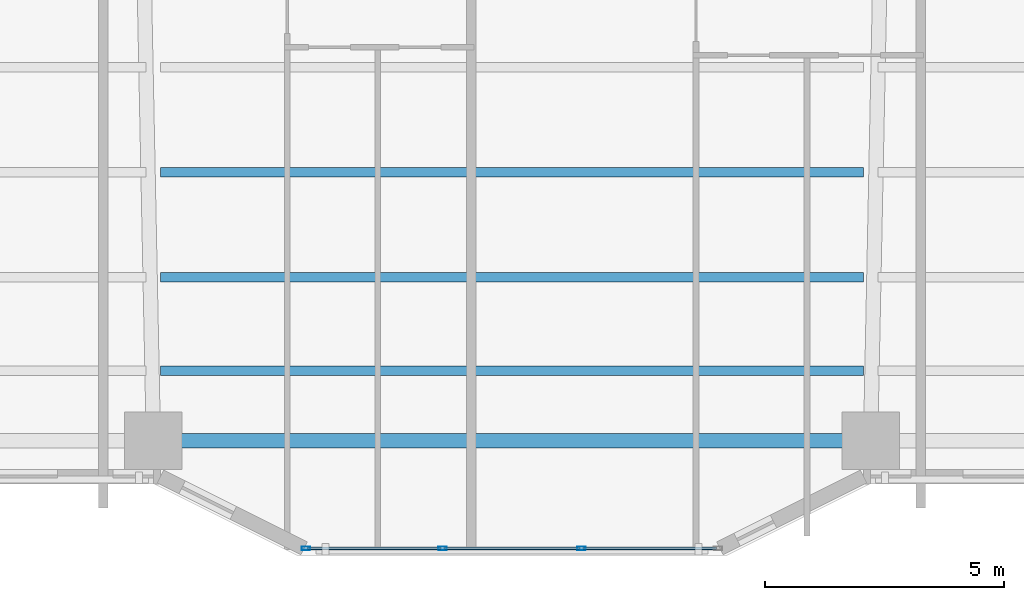
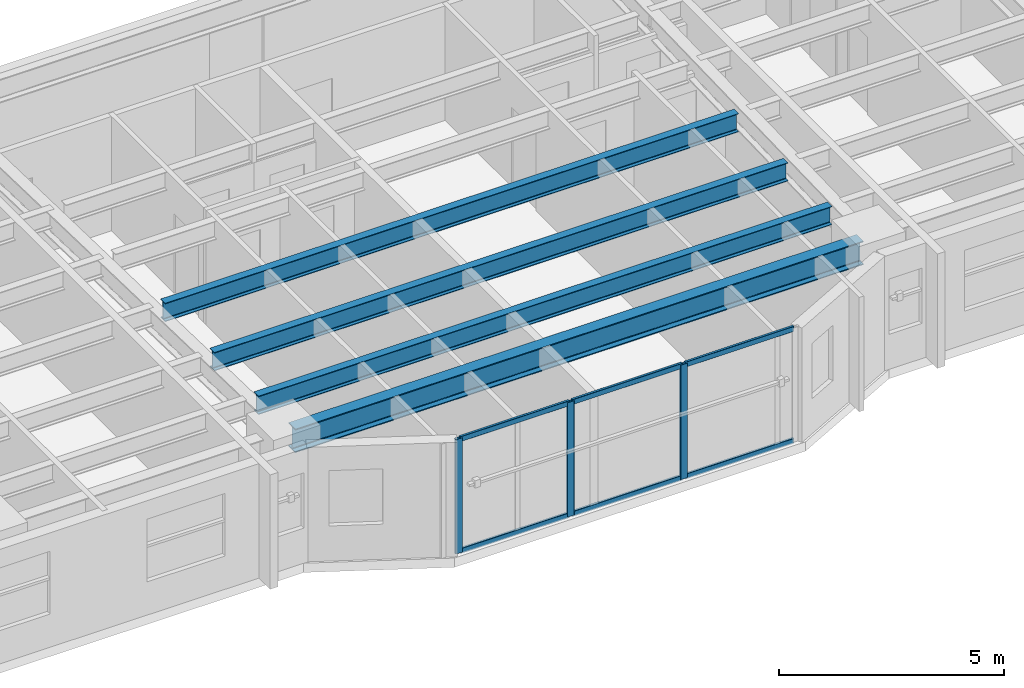
# One storey, part 2 of 21: 9 members, 4 beams, 1 element without a shape of its own.
"""IFC4 building model written with IfcOpenShell, lengths in metres."""

from ifc_helpers import new_model, si_unit, direction, frame, origin, origin_2d, place, context, subcontext, project, spatial, hollow_rectangle, i_section, extrude, material, layer, layer_set, material_profile, profile_set, type_object, element, aggregate, save


model = new_model("IFC4")

# Units and contexts
model_context = context("Model", 3, precision=1e-05, world=origin(), true_north=direction((0.0, 1.0)))
body_context = subcontext(model_context, "Body", "Model", "MODEL_VIEW")
ifc_project = project(units=[si_unit("LENGTHUNIT", "METRE"), si_unit("AREAUNIT", "SQUARE_METRE"), si_unit("VOLUMEUNIT", "CUBIC_METRE"), si_unit("PLANEANGLEUNIT", "RADIAN"), si_unit("MASSUNIT", "GRAM", prefix="KILO")], contexts=[model_context])

# Site, building, storey
site_placement = place(None, origin())
site = spatial("IfcSite", under=ifc_project, at=site_placement, CompositionType="ELEMENT")
building_placement = place(site_placement, origin())
building = spatial("IfcBuilding", under=site, at=building_placement, Name="Tarnavaz Court Tower", CompositionType="ELEMENT")
storey_placement = place(building_placement, frame((0.0, 0.0, 47.449951171875)))
storey = spatial("IfcBuildingStorey", under=building, at=storey_placement, Name="L12", CompositionType="ELEMENT", Elevation=47.449951171875)

# Beams
ifc_material_1 = material(Name="Steel S355", Category="steel")
ifc_material_profile_1 = material_profile(ifc_material_1, i_section(OverallWidth=0.199951171875, OverallDepth=0.5, WebThickness=0.01025390625, FlangeThickness=0.01611328125, FilletRadius=0.02099609375, at=origin_2d()), Name="IPE 500")
ifc_profile_set_1 = profile_set([ifc_material_profile_1], Name="Steel S355")
beam_type_1 = type_object("IfcBeamType", Name="BM-J-IPE500", PredefinedType="JOIST", material=ifc_profile_set_1)
for number, where, z_axis, x_axis, name in (
    (1, (-7.35009765625, -17.18798828125, 2.85009765625), (1.0, 0.0, 0.0), (0.0, 1.0, 0.0), "L12 Beam JS3-2"),
    (2, (-7.35009765625, -19.384033203125, 2.85009765625), (1.0, 0.0, 0.0), (0.0, 1.0, 0.0), "L12 Beam JS4-2"),
    (3, (-7.35009765625, -21.3359375, 2.85009765625), (1.0, 0.0, 0.0), (0.0, 1.0, 0.0), "L12 Beam JS5-2"),
):
    element("IfcBeam", number, at=place(storey_placement, frame(where, z_axis=z_axis, x_axis=x_axis)), inside=storey, type_object=beam_type_1, Name=name, PredefinedType="JOIST", context=body_context, shape_type="SweptSolid", body=[
        extrude(i_section(OverallWidth=0.199951171875, OverallDepth=0.5, WebThickness=0.01025390625, FlangeThickness=0.01611328125, FilletRadius=0.02099609375, at=origin_2d()), origin(), (0.0, 0.0, 1.0), 14.7001953125),
    ])
ifc_material_profile_2 = material_profile(ifc_material_1, i_section(OverallWidth=0.300048828125, OverallDepth=0.639892578125, WebThickness=0.013427734375, FlangeThickness=0.02587890625, FilletRadius=0.027099609375, at=origin_2d()), Name="HEA 650")
ifc_profile_set_2 = profile_set([ifc_material_profile_2], Name="Steel S355")
beam_type_2 = type_object("IfcBeamType", Name="BM-SP-HEA650", PredefinedType="SPANDREL", material=ifc_profile_set_2)
beam_placement = place(storey_placement, frame((-7.280029296875, -22.800048828125, 2.780029296875), z_axis=(1.0, 0.0, 0.0), x_axis=(0.0, 1.0, 0.0)))
element("IfcBeam", 4, at=beam_placement, inside=storey, type_object=beam_type_2, Name="L12 Beam PR-PS-2-PS-3", PredefinedType="SPANDREL", context=body_context, shape_type="SweptSolid", body=[
    extrude(i_section(OverallWidth=0.300048828125, OverallDepth=0.639892578125, WebThickness=0.013427734375, FlangeThickness=0.02587890625, FilletRadius=0.027099609375, at=origin_2d()), origin(), (0.0, 0.0, 1.0), 14.56005859375),
])

# Curtain wall, members
ifc_material_2 = material(Name="Anodised Aluminium 6063-T6 and Solar Low-E Glazing", Category="aluminium")
ifc_layer = layer(ifc_material_2, 0.179931640625)
ifc_layer_set = layer_set([ifc_layer], Name="Anodised Aluminium 6063-T6 and Solar Low-E Glazing")
curtain_wall_type = type_object("IfcCurtainWallType", Name="CW-SYS-02", PredefinedType="NOTDEFINED", material=ifc_layer_set)
curtain_wall_placement = place(storey_placement, origin())
curtain_wall = element("IfcCurtainWall", 5, at=curtain_wall_placement, inside=storey, type_object=curtain_wall_type, Name="L12 Iwan Prow Curtain Wall 17", PredefinedType="NOTDEFINED")
ifc_material_3 = material(Name="Anodised Aluminium 6063-T6", Category="aluminium")
ifc_material_profile_3 = material_profile(ifc_material_3, hollow_rectangle(XDim=0.074951171875, YDim=0.179931640625, WallThickness=0.0048828125, InnerFilletRadius=0.0048828125, OuterFilletRadius=0.010009765625, at=origin_2d()), Name="ALU RHS 180X75X5")
ifc_profile_set_3 = profile_set([ifc_material_profile_3], Name="Anodised Aluminium 6063-T6")
member_type_1 = type_object("IfcMemberType", Name="CW-MUL-180", PredefinedType="MULLION", material=ifc_profile_set_3)
member_1_placement = place(storey_placement, frame((1.449951171875, -25.050048828125, 0.0), z_axis=(0.0, 0.0, 1.0), x_axis=(0.0, -1.0, 0.0)))
member_1 = element("IfcMember", 6, at=member_1_placement, type_object=member_type_1, Name="CW mullion 2", PredefinedType="MULLION", context=body_context, shape_type="SweptSolid", body=[
    extrude(hollow_rectangle(XDim=0.074951171875, YDim=0.179931640625, WallThickness=0.0048828125, InnerFilletRadius=0.0048828125, OuterFilletRadius=0.010009765625, at=origin_2d()), origin(), (0.0, 0.0, 1.0), 3.10009765625),
])
member_2_placement = place(storey_placement, frame((-1.449951171875, -25.050048828125, 0.0), z_axis=(0.0, 0.0, 1.0), x_axis=(0.0, -1.0, 0.0)))
member_2 = element("IfcMember", 7, at=member_2_placement, type_object=member_type_1, Name="CW mullion 3", PredefinedType="MULLION", context=body_context, shape_type="SweptSolid", body=[
    extrude(hollow_rectangle(XDim=0.074951171875, YDim=0.179931640625, WallThickness=0.0048828125, InnerFilletRadius=0.0048828125, OuterFilletRadius=0.010009765625, at=origin_2d()), origin(), (0.0, 0.0, 1.0), 3.10009765625),
])
member_3_placement = place(storey_placement, frame((-4.3125, -25.050048828125, 0.0), z_axis=(0.0, 0.0, 1.0), x_axis=(0.0, -1.0, 0.0)))
member_3 = element("IfcMember", 8, at=member_3_placement, type_object=member_type_1, Name="CW mullion 4", PredefinedType="MULLION", context=body_context, shape_type="SweptSolid", body=[
    extrude(hollow_rectangle(XDim=0.074951171875, YDim=0.179931640625, WallThickness=0.0048828125, InnerFilletRadius=0.0048828125, OuterFilletRadius=0.010009765625, at=origin_2d()), origin(), (0.0, 0.0, 1.0), 3.10009765625),
])
ifc_material_profile_4 = material_profile(ifc_material_3, hollow_rectangle(XDim=0.06494140625, YDim=0.139892578125, WallThickness=0.00390625, InnerFilletRadius=0.00390625, OuterFilletRadius=0.008056640625, at=origin_2d()), Name="ALU RHS 140X65X4")
ifc_profile_set_4 = profile_set([ifc_material_profile_4], Name="Anodised Aluminium 6063-T6")
member_type_2 = type_object("IfcMemberType", Name="CW-TRN-140", PredefinedType="USERDEFINED", material=ifc_profile_set_4)
member_4_placement = place(storey_placement, frame((4.27490234375, -25.050048828125, 0.032470703125), z_axis=(-1.0, 0.0, 0.0), x_axis=(0.0, -1.0, 0.0)))
member_4 = element("IfcMember", 9, at=member_4_placement, type_object=member_type_2, Name="CW transom 1.1", ObjectType="TRANSOM", PredefinedType="USERDEFINED", context=body_context, shape_type="SweptSolid", body=[
    extrude(hollow_rectangle(XDim=0.06494140625, YDim=0.139892578125, WallThickness=0.00390625, InnerFilletRadius=0.00390625, OuterFilletRadius=0.008056640625, at=origin_2d()), origin(), (0.0, 0.0, 1.0), 2.787353515625),
])
member_5_placement = place(storey_placement, frame((4.27490234375, -25.050048828125, 3.067626953125), z_axis=(-1.0, 0.0, 0.0), x_axis=(0.0, -1.0, 0.0)))
member_5 = element("IfcMember", 10, at=member_5_placement, type_object=member_type_2, Name="CW transom 1.2", ObjectType="TRANSOM", PredefinedType="USERDEFINED", context=body_context, shape_type="SweptSolid", body=[
    extrude(hollow_rectangle(XDim=0.06494140625, YDim=0.139892578125, WallThickness=0.00390625, InnerFilletRadius=0.00390625, OuterFilletRadius=0.008056640625, at=origin_2d()), origin(), (0.0, 0.0, 1.0), 2.787353515625),
])
member_6_placement = place(storey_placement, frame((1.41259765625, -25.050048828125, 0.032470703125), z_axis=(-1.0, 0.0, 0.0), x_axis=(0.0, -1.0, 0.0)))
member_6 = element("IfcMember", 11, at=member_6_placement, type_object=member_type_2, Name="CW transom 2.1", ObjectType="TRANSOM", PredefinedType="USERDEFINED", context=body_context, shape_type="SweptSolid", body=[
    extrude(hollow_rectangle(XDim=0.06494140625, YDim=0.139892578125, WallThickness=0.00390625, InnerFilletRadius=0.00390625, OuterFilletRadius=0.008056640625, at=origin_2d()), origin(), (0.0, 0.0, 1.0), 2.8251953125),
])
member_7_placement = place(storey_placement, frame((1.41259765625, -25.050048828125, 3.067626953125), z_axis=(-1.0, 0.0, 0.0), x_axis=(0.0, -1.0, 0.0)))
member_7 = element("IfcMember", 12, at=member_7_placement, type_object=member_type_2, Name="CW transom 2.2", ObjectType="TRANSOM", PredefinedType="USERDEFINED", context=body_context, shape_type="SweptSolid", body=[
    extrude(hollow_rectangle(XDim=0.06494140625, YDim=0.139892578125, WallThickness=0.00390625, InnerFilletRadius=0.00390625, OuterFilletRadius=0.008056640625, at=origin_2d()), origin(), (0.0, 0.0, 1.0), 2.8251953125),
])
member_8_placement = place(storey_placement, frame((-1.487548828125, -25.050048828125, 0.032470703125), z_axis=(-1.0, 0.0, 0.0), x_axis=(0.0, -1.0, 0.0)))
member_8 = element("IfcMember", 13, at=member_8_placement, type_object=member_type_2, Name="CW transom 3.1", ObjectType="TRANSOM", PredefinedType="USERDEFINED", context=body_context, shape_type="SweptSolid", body=[
    extrude(hollow_rectangle(XDim=0.06494140625, YDim=0.139892578125, WallThickness=0.00390625, InnerFilletRadius=0.00390625, OuterFilletRadius=0.008056640625, at=origin_2d()), origin(), (0.0, 0.0, 1.0), 2.787353515625),
])
member_9_placement = place(storey_placement, frame((-1.487548828125, -25.050048828125, 3.067626953125), z_axis=(-1.0, 0.0, 0.0), x_axis=(0.0, -1.0, 0.0)))
member_9 = element("IfcMember", 14, at=member_9_placement, type_object=member_type_2, Name="CW transom 3.2", ObjectType="TRANSOM", PredefinedType="USERDEFINED", context=body_context, shape_type="SweptSolid", body=[
    extrude(hollow_rectangle(XDim=0.06494140625, YDim=0.139892578125, WallThickness=0.00390625, InnerFilletRadius=0.00390625, OuterFilletRadius=0.008056640625, at=origin_2d()), origin(), (0.0, 0.0, 1.0), 2.787353515625),
])
aggregate(curtain_wall, [member_1, member_2, member_3, member_4, member_5, member_6, member_7, member_8, member_9])

save(model, "model.ifc")
